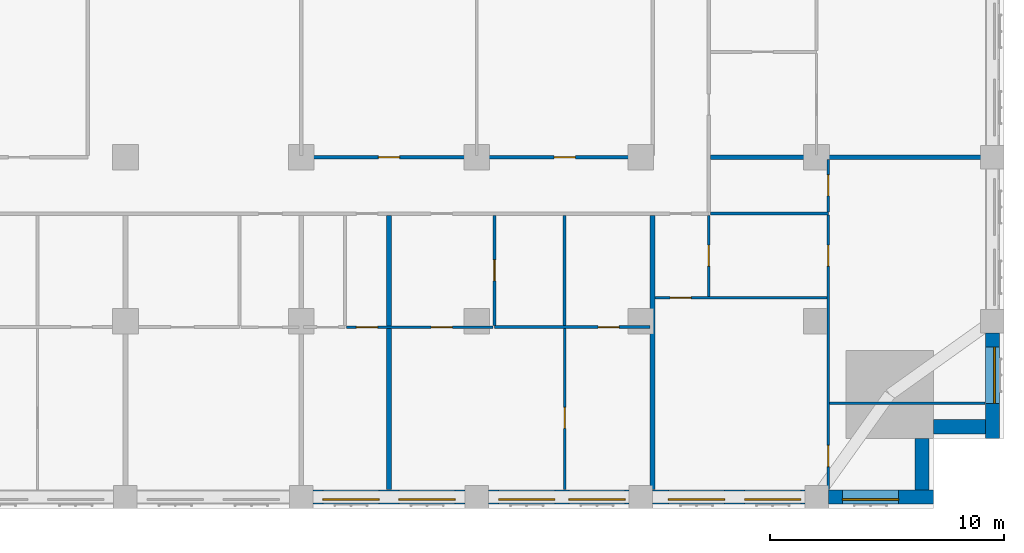
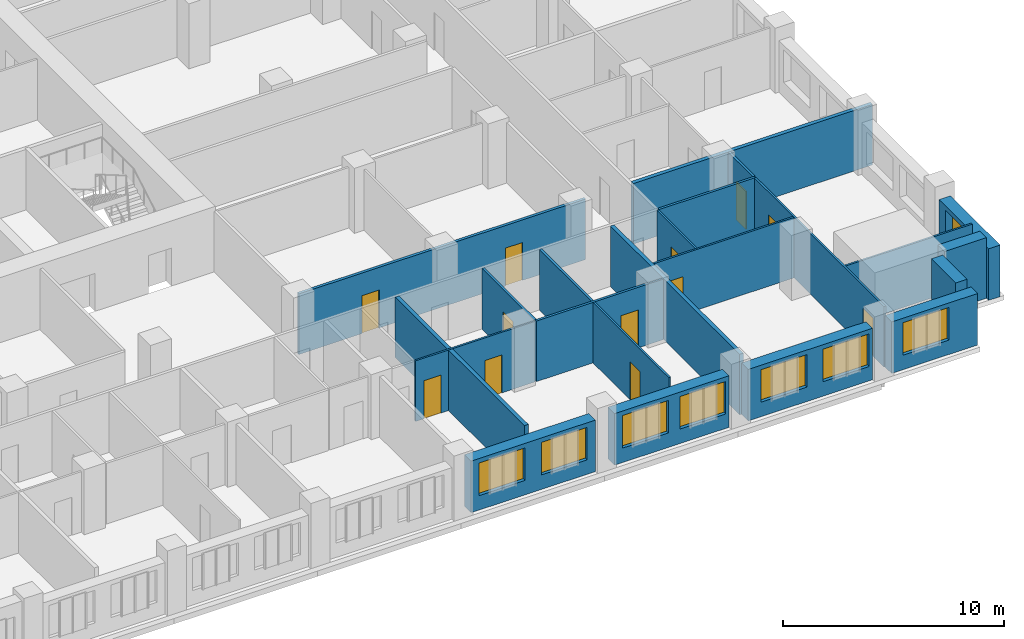
# One storey, part 6 of 14: 22 walls, 12 doors, 8 windows, 20 openings.
"""IFC4 building model written with IfcOpenShell, lengths in metres."""

from ifc_helpers import new_model, si_unit, direction, frame, frame_2d, origin, place, context, subcontext, project, spatial, rectangle, extrude, material, layer, layer_set, type_object, element, fill, save


model = new_model("IFC4")

# Units and contexts
model_context = context("Model", 3, precision=1e-05, world=origin(), true_north=direction((0.0, 1.0)))
body_context = subcontext(model_context, "Body", "Model", "MODEL_VIEW")
ifc_project = project(units=[si_unit("LENGTHUNIT", "METRE"), si_unit("AREAUNIT", "SQUARE_METRE"), si_unit("VOLUMEUNIT", "CUBIC_METRE"), si_unit("PLANEANGLEUNIT", "RADIAN"), si_unit("MASSUNIT", "GRAM", prefix="KILO")], contexts=[model_context])

# Site, building, storey
site_placement = place(None, origin())
site = spatial("IfcSite", under=ifc_project, at=site_placement, CompositionType="ELEMENT")
building_placement = place(site_placement, origin())
building = spatial("IfcBuilding", under=site, at=building_placement, Name="Tamorin Gate", CompositionType="ELEMENT")
storey_placement = place(building_placement, frame((0.0, 0.0, 93.5)))
storey = spatial("IfcBuildingStorey", under=building, at=storey_placement, Name="L22", CompositionType="ELEMENT", Elevation=93.5)

# Wall, openings, windows
ifc_material_1 = material(Name="Precast concrete C40/50", Category="concrete")
ifc_layer_1 = layer(ifc_material_1, 0.60009765625)
ifc_layer_set_1 = layer_set([ifc_layer_1], Name="Precast concrete C40/50")
wall_type_1 = type_object("IfcWallType", Name="Board-marked concrete facade panel 600", PredefinedType="SOLIDWALL", material=ifc_layer_set_1)
wall_1_placement = place(storey_placement, frame((60.5, 38.0, 0.0), z_axis=(0.0, 0.0, 1.0), x_axis=(1.0, 0.0, 0.0)))
wall_1 = element("IfcWall", 1, at=wall_1_placement, inside=storey, type_object=wall_type_1, Name="Facade panel", PredefinedType="SOLIDWALL", context=body_context, shape_type="SweptSolid", body=[
    extrude(rectangle(XDim=6.5, YDim=0.60009765625, at=frame_2d((3.25, 0.0))), origin(), (0.0, 0.0, 1.0), 2.85009765625),
])
opening_1_placement = place(wall_1_placement, frame((0.425048828125, 0.0, 0.800048828125)))
opening_1 = element("IfcOpeningElement", 2, at=opening_1_placement, cuts=wall_1, Name="Opening WN1", PredefinedType="OPENING", context=body_context, shape_type="SweptSolid", body=[
    extrude(rectangle(XDim=2.39990234375, YDim=1.800048828125, at=frame_2d((1.199951171875, 0.89990234375))), frame((0.0, 0.31005859375, 0.0), z_axis=(0.0, -1.0, 0.0), x_axis=(1.0, 0.0, 0.0)), (0.0, 0.0, 1.0), 0.6201171875),
])
opening_2_placement = place(wall_1_placement, frame((3.675048828125, 0.0, 0.800048828125)))
opening_2 = element("IfcOpeningElement", 3, at=opening_2_placement, cuts=wall_1, Name="Opening WN1", PredefinedType="OPENING", context=body_context, shape_type="SweptSolid", body=[
    extrude(rectangle(XDim=2.39990234375, YDim=1.800048828125, at=frame_2d((1.199951171875, 0.89990234375))), frame((0.0, 0.31005859375, 0.0), z_axis=(0.0, -1.0, 0.0), x_axis=(1.0, 0.0, 0.0)), (0.0, 0.0, 1.0), 0.6201171875),
])
ifc_material_2 = material(Name="Clear glass in aluminium frame", Category="aluminium")
window_type = type_object("IfcWindowType", Name="Deep-set window 2400x1800", PartitioningType="SINGLE_PANEL", PredefinedType="WINDOW", material=ifc_material_2)
window_1_placement = place(opening_1_placement, origin())
window_1 = element("IfcWindow", 4, at=window_1_placement, inside=storey, type_object=window_type, Name="Deep-set window", OverallHeight=1.800048828125, OverallWidth=2.39990234375, PartitioningType="SINGLE_PANEL", PredefinedType="WINDOW", context=body_context, shape_type="SweptSolid", body=[
    extrude(rectangle(XDim=2.39990234375, YDim=1.800048828125, at=frame_2d((1.199951171875, 0.89990234375))), frame((0.0, -0.070068359375, 0.0), z_axis=(0.0, -1.0, 0.0), x_axis=(1.0, 0.0, 0.0)), (0.0, 0.0, 1.0), 0.06005859375),
])
fill(opening_1, window_1)
window_2_placement = place(opening_2_placement, origin())
window_2 = element("IfcWindow", 5, at=window_2_placement, inside=storey, type_object=window_type, Name="Deep-set window", OverallHeight=1.800048828125, OverallWidth=2.39990234375, PartitioningType="SINGLE_PANEL", PredefinedType="WINDOW", context=body_context, shape_type="SweptSolid", body=[
    extrude(rectangle(XDim=2.39990234375, YDim=1.800048828125, at=frame_2d((1.199951171875, 0.89990234375))), frame((0.0, -0.070068359375, 0.0), z_axis=(0.0, -1.0, 0.0), x_axis=(1.0, 0.0, 0.0)), (0.0, 0.0, 1.0), 0.06005859375),
])
fill(opening_2, window_2)

wall_2_placement = place(storey_placement, frame((68.0, 38.0, 0.0), z_axis=(0.0, 0.0, 1.0), x_axis=(1.0, 0.0, 0.0)))
wall_2 = element("IfcWall", 6, at=wall_2_placement, inside=storey, type_object=wall_type_1, Name="Facade panel", PredefinedType="SOLIDWALL", context=body_context, shape_type="SweptSolid", body=[
    extrude(rectangle(XDim=6.0, YDim=0.60009765625, at=frame_2d((3.0, 0.0))), origin(), (0.0, 0.0, 1.0), 2.85009765625),
])
opening_3_placement = place(wall_2_placement, frame((0.425048828125, 0.0, 0.800048828125)))
opening_3 = element("IfcOpeningElement", 7, at=opening_3_placement, cuts=wall_2, Name="Opening WN1", PredefinedType="OPENING", context=body_context, shape_type="SweptSolid", body=[
    extrude(rectangle(XDim=2.39990234375, YDim=1.800048828125, at=frame_2d((1.199951171875, 0.89990234375))), frame((0.0, 0.31005859375, 0.0), z_axis=(0.0, -1.0, 0.0), x_axis=(1.0, 0.0, 0.0)), (0.0, 0.0, 1.0), 0.6201171875),
])
opening_4_placement = place(wall_2_placement, frame((3.425048828125, 0.0, 0.800048828125)))
opening_4 = element("IfcOpeningElement", 8, at=opening_4_placement, cuts=wall_2, Name="Opening WN1", PredefinedType="OPENING", context=body_context, shape_type="SweptSolid", body=[
    extrude(rectangle(XDim=2.39990234375, YDim=1.800048828125, at=frame_2d((1.199951171875, 0.89990234375))), frame((0.0, 0.31005859375, 0.0), z_axis=(0.0, -1.0, 0.0), x_axis=(1.0, 0.0, 0.0)), (0.0, 0.0, 1.0), 0.6201171875),
])
window_3_placement = place(opening_3_placement, origin())
window_3 = element("IfcWindow", 9, at=window_3_placement, inside=storey, type_object=window_type, Name="Deep-set window", OverallHeight=1.800048828125, OverallWidth=2.39990234375, PartitioningType="SINGLE_PANEL", PredefinedType="WINDOW", context=body_context, shape_type="SweptSolid", body=[
    extrude(rectangle(XDim=2.39990234375, YDim=1.800048828125, at=frame_2d((1.199951171875, 0.89990234375))), frame((0.0, -0.070068359375, 0.0), z_axis=(0.0, -1.0, 0.0), x_axis=(1.0, 0.0, 0.0)), (0.0, 0.0, 1.0), 0.06005859375),
])
fill(opening_3, window_3)
window_4_placement = place(opening_4_placement, origin())
window_4 = element("IfcWindow", 10, at=window_4_placement, inside=storey, type_object=window_type, Name="Deep-set window", OverallHeight=1.800048828125, OverallWidth=2.39990234375, PartitioningType="SINGLE_PANEL", PredefinedType="WINDOW", context=body_context, shape_type="SweptSolid", body=[
    extrude(rectangle(XDim=2.39990234375, YDim=1.800048828125, at=frame_2d((1.199951171875, 0.89990234375))), frame((0.0, -0.070068359375, 0.0), z_axis=(0.0, -1.0, 0.0), x_axis=(1.0, 0.0, 0.0)), (0.0, 0.0, 1.0), 0.06005859375),
])
fill(opening_4, window_4)

wall_3_placement = place(storey_placement, frame((75.0, 38.0, 0.0), z_axis=(0.0, 0.0, 1.0), x_axis=(1.0, 0.0, 0.0)))
wall_3 = element("IfcWall", 11, at=wall_3_placement, inside=storey, type_object=wall_type_1, Name="Facade panel", PredefinedType="SOLIDWALL", context=body_context, shape_type="SweptSolid", body=[
    extrude(rectangle(XDim=6.5, YDim=0.60009765625, at=frame_2d((3.25, 0.0))), origin(), (0.0, 0.0, 1.0), 2.85009765625),
])
opening_5_placement = place(wall_3_placement, frame((0.675048828125, 0.0, 0.800048828125)))
opening_5 = element("IfcOpeningElement", 12, at=opening_5_placement, cuts=wall_3, Name="Opening WN1", PredefinedType="OPENING", context=body_context, shape_type="SweptSolid", body=[
    extrude(rectangle(XDim=2.39990234375, YDim=1.800048828125, at=frame_2d((1.199951171875, 0.89990234375))), frame((0.0, 0.31005859375, 0.0), z_axis=(0.0, -1.0, 0.0), x_axis=(1.0, 0.0, 0.0)), (0.0, 0.0, 1.0), 0.6201171875),
])
opening_6_placement = place(wall_3_placement, frame((3.925048828125, 0.0, 0.800048828125)))
opening_6 = element("IfcOpeningElement", 13, at=opening_6_placement, cuts=wall_3, Name="Opening WN1", PredefinedType="OPENING", context=body_context, shape_type="SweptSolid", body=[
    extrude(rectangle(XDim=2.39990234375, YDim=1.800048828125, at=frame_2d((1.199951171875, 0.89990234375))), frame((0.0, 0.31005859375, 0.0), z_axis=(0.0, -1.0, 0.0), x_axis=(1.0, 0.0, 0.0)), (0.0, 0.0, 1.0), 0.6201171875),
])
window_5_placement = place(opening_5_placement, origin())
window_5 = element("IfcWindow", 14, at=window_5_placement, inside=storey, type_object=window_type, Name="Deep-set window", OverallHeight=1.800048828125, OverallWidth=2.39990234375, PartitioningType="SINGLE_PANEL", PredefinedType="WINDOW", context=body_context, shape_type="SweptSolid", body=[
    extrude(rectangle(XDim=2.39990234375, YDim=1.800048828125, at=frame_2d((1.199951171875, 0.89990234375))), frame((0.0, -0.070068359375, 0.0), z_axis=(0.0, -1.0, 0.0), x_axis=(1.0, 0.0, 0.0)), (0.0, 0.0, 1.0), 0.06005859375),
])
fill(opening_5, window_5)
window_6_placement = place(opening_6_placement, origin())
window_6 = element("IfcWindow", 15, at=window_6_placement, inside=storey, type_object=window_type, Name="Deep-set window", OverallHeight=1.800048828125, OverallWidth=2.39990234375, PartitioningType="SINGLE_PANEL", PredefinedType="WINDOW", context=body_context, shape_type="SweptSolid", body=[
    extrude(rectangle(XDim=2.39990234375, YDim=1.800048828125, at=frame_2d((1.199951171875, 0.89990234375))), frame((0.0, -0.070068359375, 0.0), z_axis=(0.0, -1.0, 0.0), x_axis=(1.0, 0.0, 0.0)), (0.0, 0.0, 1.0), 0.06005859375),
])
fill(opening_6, window_6)

# Wall, opening, window
wall_4_placement = place(storey_placement, frame((82.5, 38.0, 0.0), z_axis=(0.0, 0.0, 1.0), x_axis=(1.0, 0.0, 0.0)))
wall_4 = element("IfcWall", 16, at=wall_4_placement, inside=storey, type_object=wall_type_1, Name="Facade panel", PredefinedType="SOLIDWALL", context=body_context, shape_type="SweptSolid", body=[
    extrude(rectangle(XDim=4.5, YDim=0.60009765625, at=frame_2d((2.25, 0.0))), origin(), (0.0, 0.0, 1.0), 2.85009765625),
])
opening_7_placement = place(wall_4_placement, frame((0.60009765625, 0.0, 0.800048828125)))
opening_7 = element("IfcOpeningElement", 17, at=opening_7_placement, cuts=wall_4, Name="Opening WN1", PredefinedType="OPENING", context=body_context, shape_type="SweptSolid", body=[
    extrude(rectangle(XDim=2.39990234375, YDim=1.800048828125, at=frame_2d((1.199951171875, 0.89990234375))), frame((0.0, 0.31005859375, 0.0), z_axis=(0.0, -1.0, 0.0), x_axis=(1.0, 0.0, 0.0)), (0.0, 0.0, 1.0), 0.6201171875),
])
window_7_placement = place(opening_7_placement, origin())
window_7 = element("IfcWindow", 18, at=window_7_placement, inside=storey, type_object=window_type, Name="Deep-set window", OverallHeight=1.800048828125, OverallWidth=2.39990234375, PartitioningType="SINGLE_PANEL", PredefinedType="WINDOW", context=body_context, shape_type="SweptSolid", body=[
    extrude(rectangle(XDim=2.39990234375, YDim=1.800048828125, at=frame_2d((1.199951171875, 0.89990234375))), frame((0.0, -0.070068359375, 0.0), z_axis=(0.0, -1.0, 0.0), x_axis=(1.0, 0.0, 0.0)), (0.0, 0.0, 1.0), 0.06005859375),
])
fill(opening_7, window_7)

# Walls
for number, where, z_axis, x_axis, name in (
    (19, (86.5, 38.300048828125, 0.0), (0.0, 0.0, 1.0), (0.0, 1.0, 0.0), "Facade panel"),
    (20, (87.0, 41.0, 0.0), (0.0, 0.0, 1.0), (1.0, 0.0, 0.0), "Facade panel"),
):
    element("IfcWall", number, at=place(storey_placement, frame(where, z_axis=z_axis, x_axis=x_axis)), inside=storey, type_object=wall_type_1, Name=name, PredefinedType="SOLIDWALL", context=body_context, shape_type="SweptSolid", body=[
        extrude(rectangle(XDim=2.199951171875, YDim=0.60009765625, at=frame_2d((1.10009765625, 0.0))), origin(), (0.0, 0.0, 1.0), 3.35009765625),
    ])

# Wall, opening, window
wall_5_placement = place(storey_placement, frame((89.5, 40.5, 0.0), z_axis=(0.0, 0.0, 1.0), x_axis=(0.0, 1.0, 0.0)))
wall_5 = element("IfcWall", 21, at=wall_5_placement, inside=storey, type_object=wall_type_1, Name="Facade panel", PredefinedType="SOLIDWALL", context=body_context, shape_type="SweptSolid", body=[
    extrude(rectangle(XDim=4.5, YDim=0.60009765625, at=frame_2d((2.25, 0.0))), origin(), (0.0, 0.0, 1.0), 2.85009765625),
])
opening_8_placement = place(wall_5_placement, frame((1.5, 0.0, 0.800048828125)))
opening_8 = element("IfcOpeningElement", 22, at=opening_8_placement, cuts=wall_5, Name="Opening WN1", PredefinedType="OPENING", context=body_context, shape_type="SweptSolid", body=[
    extrude(rectangle(XDim=2.39990234375, YDim=1.800048828125, at=frame_2d((1.199951171875, 0.89990234375))), frame((0.0, 0.31005859375, 0.0), z_axis=(0.0, -1.0, 0.0), x_axis=(1.0, 0.0, 0.0)), (0.0, 0.0, 1.0), 0.6201171875),
])
window_8_placement = place(opening_8_placement, origin())
window_8 = element("IfcWindow", 23, at=window_8_placement, inside=storey, type_object=window_type, Name="Deep-set window", OverallHeight=1.800048828125, OverallWidth=2.39990234375, PartitioningType="SINGLE_PANEL", PredefinedType="WINDOW", context=body_context, shape_type="SweptSolid", body=[
    extrude(rectangle(XDim=2.39990234375, YDim=1.800048828125, at=frame_2d((1.199951171875, 0.89990234375))), frame((0.0, -0.070068359375, 0.0), z_axis=(0.0, -1.0, 0.0), x_axis=(1.0, 0.0, 0.0)), (0.0, 0.0, 1.0), 0.06005859375),
])
fill(opening_8, window_8)

# Wall, openings, doors
ifc_material_3 = material(Name="Gypsum board partition")
ifc_layer_2 = layer(ifc_material_3, 0.14990234375)
ifc_layer_set_2 = layer_set([ifc_layer_2], Name="Corridor wall 150")
wall_type_2 = type_object("IfcWallType", Name="Corridor wall 150", PredefinedType="PARTITIONING", material=ifc_layer_set_2)
wall_6_placement = place(storey_placement, frame((60.0, 52.5, 0.0), z_axis=(0.0, 0.0, 1.0), x_axis=(1.0, 0.0, 0.0)))
wall_6 = element("IfcWall", 24, at=wall_6_placement, inside=storey, type_object=wall_type_2, Name="Corridor wall 150", PredefinedType="PARTITIONING", context=body_context, shape_type="SweptSolid", body=[
    extrude(rectangle(XDim=15.0, YDim=0.14990234375, at=frame_2d((7.5, 0.0))), origin(), (0.0, 0.0, 1.0), 3.35009765625),
])
opening_9_placement = place(wall_6_placement, frame((3.300048828125, 0.0, 0.0)))
opening_9 = element("IfcOpeningElement", 25, at=opening_9_placement, cuts=wall_6, Name="Opening DH5074", PredefinedType="OPENING", context=body_context, shape_type="SweptSolid", body=[
    extrude(rectangle(XDim=0.89990234375, YDim=2.10009765625, at=frame_2d((0.449951171875, 1.050048828125))), frame((0.0, 0.0849609375, 0.0), z_axis=(0.0, -1.0, 0.0), x_axis=(1.0, 0.0, 0.0)), (0.0, 0.0, 1.0), 0.169921875),
])
opening_10_placement = place(wall_6_placement, frame((10.800048828125, 0.0, 0.0)))
opening_10 = element("IfcOpeningElement", 26, at=opening_10_placement, cuts=wall_6, Name="Opening DH5075", PredefinedType="OPENING", context=body_context, shape_type="SweptSolid", body=[
    extrude(rectangle(XDim=0.89990234375, YDim=2.10009765625, at=frame_2d((0.449951171875, 1.050048828125))), frame((0.0, 0.0849609375, 0.0), z_axis=(0.0, -1.0, 0.0), x_axis=(1.0, 0.0, 0.0)), (0.0, 0.0, 1.0), 0.169921875),
])
ifc_material_4 = material(Name="Timber door leaf", Category="wood")
door_type_1 = type_object("IfcDoorType", Name="Door 900 x 2100 FD30S", OperationType="NOTDEFINED", PredefinedType="DOOR", material=ifc_material_4)
door_1_placement = place(opening_9_placement, origin())
door_1 = element("IfcDoor", 27, at=door_1_placement, inside=storey, type_object=door_type_1, Name="Door DH5074", OperationType="SINGLE_SWING_LEFT", OverallHeight=2.10009765625, OverallWidth=0.89990234375, PredefinedType="DOOR", context=body_context, shape_type="SweptSolid", body=[
    extrude(rectangle(XDim=0.89990234375, YDim=2.10009765625, at=frame_2d((0.449951171875, 1.050048828125))), frame((0.0, 0.02490234375, 0.0), z_axis=(0.0, -1.0, 0.0), x_axis=(1.0, 0.0, 0.0)), (0.0, 0.0, 1.0), 0.050048828125),
])
fill(opening_9, door_1)
door_2_placement = place(opening_10_placement, origin())
door_2 = element("IfcDoor", 28, at=door_2_placement, inside=storey, type_object=door_type_1, Name="Door DH5075", OperationType="SINGLE_SWING_LEFT", OverallHeight=2.10009765625, OverallWidth=0.89990234375, PredefinedType="DOOR", context=body_context, shape_type="SweptSolid", body=[
    extrude(rectangle(XDim=0.89990234375, YDim=2.10009765625, at=frame_2d((0.449951171875, 1.050048828125))), frame((0.0, 0.02490234375, 0.0), z_axis=(0.0, -1.0, 0.0), x_axis=(1.0, 0.0, 0.0)), (0.0, 0.0, 1.0), 0.050048828125),
])
fill(opening_10, door_2)

# Walls
ifc_layer_3 = layer(ifc_material_3, 0.199951171875)
ifc_layer_set_3 = layer_set([ifc_layer_3], Name="Demising wall 200")
wall_type_3 = type_object("IfcWallType", Name="Demising wall 200", PredefinedType="PARTITIONING", material=ifc_layer_set_3)
wall_7_placement = place(storey_placement, frame((77.47509765625, 52.5, 0.0), z_axis=(0.0, 0.0, 1.0), x_axis=(1.0, 0.0, 0.0)))
element("IfcWall", 29, at=wall_7_placement, inside=storey, type_object=wall_type_3, Name="Demising wall 200", PredefinedType="PARTITIONING", context=body_context, shape_type="SweptSolid", body=[
    extrude(rectangle(XDim=12.52490234375, YDim=0.199951171875, at=frame_2d((6.262451171875, 0.0))), origin(), (0.0, 0.0, 1.0), 3.35009765625),
])
for number, where, z_axis, x_axis, name in (
    (30, (63.75, 38.31005859375, 0.0), (0.0, 0.0, 1.0), (0.0, 1.0, 0.0), "Demising wall 200"),
    (31, (75.0, 38.31005859375, 0.0), (0.0, 0.0, 1.0), (0.0, 1.0, 0.0), "Demising wall 200"),
):
    element("IfcWall", number, at=place(storey_placement, frame(where, z_axis=z_axis, x_axis=x_axis)), inside=storey, type_object=wall_type_3, Name=name, PredefinedType="PARTITIONING", context=body_context, shape_type="SweptSolid", body=[
        extrude(rectangle(XDim=11.71484375, YDim=0.199951171875, at=frame_2d((5.857421875, 0.0))), origin(), (0.0, 0.0, 1.0), 3.35009765625),
    ])
ifc_layer_4 = layer(ifc_material_3, 0.10009765625)
ifc_layer_set_4 = layer_set([ifc_layer_4], Name="Room partition 100")
wall_type_4 = type_object("IfcWallType", Name="Room partition 100", PredefinedType="PARTITIONING", material=ifc_layer_set_4)
wall_8_placement = place(storey_placement, frame((82.550048828125, 42.0, 0.0), z_axis=(0.0, 0.0, 1.0), x_axis=(1.0, 0.0, 0.0)))
element("IfcWall", 32, at=wall_8_placement, inside=storey, type_object=wall_type_4, Name="Room partition 100", PredefinedType="PARTITIONING", context=body_context, shape_type="SweptSolid", body=[
    extrude(rectangle(XDim=6.639892578125, YDim=0.10009765625, at=frame_2d((3.31982421875, 0.0))), origin(), (0.0, 0.0, 1.0), 3.35009765625),
])

# Wall, openings, doors
wall_9_placement = place(storey_placement, frame((61.9375, 45.25, 0.0), z_axis=(0.0, 0.0, 1.0), x_axis=(1.0, 0.0, 0.0)))
wall_9 = element("IfcWall", 33, at=wall_9_placement, inside=storey, type_object=wall_type_4, Name="Room partition 100", PredefinedType="PARTITIONING", context=body_context, shape_type="SweptSolid", body=[
    extrude(rectangle(XDim=6.25, YDim=0.10009765625, at=frame_2d((3.125, 0.0))), origin(), (0.0, 0.0, 1.0), 3.35009765625),
])
opening_11_placement = place(wall_9_placement, frame((0.425048828125, 0.0, 0.0)))
opening_11 = element("IfcOpeningElement", 34, at=opening_11_placement, cuts=wall_9, Name="Opening DH5015", PredefinedType="OPENING", context=body_context, shape_type="SweptSolid", body=[
    extrude(rectangle(XDim=0.89990234375, YDim=2.10009765625, at=frame_2d((0.449951171875, 1.050048828125))), frame((0.0, 0.06005859375, 0.0), z_axis=(0.0, -1.0, 0.0), x_axis=(1.0, 0.0, 0.0)), (0.0, 0.0, 1.0), 0.1201171875),
])
opening_12_placement = place(wall_9_placement, frame((3.612548828125, 0.0, 0.0)))
opening_12 = element("IfcOpeningElement", 35, at=opening_12_placement, cuts=wall_9, Name="Opening DH5017", PredefinedType="OPENING", context=body_context, shape_type="SweptSolid", body=[
    extrude(rectangle(XDim=0.89990234375, YDim=2.10009765625, at=frame_2d((0.449951171875, 1.050048828125))), frame((0.0, 0.06005859375, 0.0), z_axis=(0.0, -1.0, 0.0), x_axis=(1.0, 0.0, 0.0)), (0.0, 0.0, 1.0), 0.1201171875),
])
door_type_2 = type_object("IfcDoorType", Name="Door 900 x 2100", OperationType="NOTDEFINED", PredefinedType="DOOR", material=ifc_material_4)
door_3_placement = place(opening_11_placement, origin())
door_3 = element("IfcDoor", 36, at=door_3_placement, inside=storey, type_object=door_type_2, Name="Door DH5015", OperationType="SINGLE_SWING_LEFT", OverallHeight=2.10009765625, OverallWidth=0.89990234375, PredefinedType="DOOR", context=body_context, shape_type="SweptSolid", body=[
    extrude(rectangle(XDim=0.89990234375, YDim=2.10009765625, at=frame_2d((0.449951171875, 1.050048828125))), frame((0.0, 0.02490234375, 0.0), z_axis=(0.0, -1.0, 0.0), x_axis=(1.0, 0.0, 0.0)), (0.0, 0.0, 1.0), 0.050048828125),
])
fill(opening_11, door_3)
door_4_placement = place(opening_12_placement, origin())
door_4 = element("IfcDoor", 37, at=door_4_placement, inside=storey, type_object=door_type_2, Name="Door DH5017", OperationType="SINGLE_SWING_LEFT", OverallHeight=2.10009765625, OverallWidth=0.89990234375, PredefinedType="DOOR", context=body_context, shape_type="SweptSolid", body=[
    extrude(rectangle(XDim=0.89990234375, YDim=2.10009765625, at=frame_2d((0.449951171875, 1.050048828125))), frame((0.0, 0.02490234375, 0.0), z_axis=(0.0, -1.0, 0.0), x_axis=(1.0, 0.0, 0.0)), (0.0, 0.0, 1.0), 0.050048828125),
])
fill(opening_12, door_4)

# Wall, opening, door
wall_10_placement = place(storey_placement, frame((75.10009765625, 46.5, 0.0), z_axis=(0.0, 0.0, 1.0), x_axis=(1.0, 0.0, 0.0)))
wall_10 = element("IfcWall", 38, at=wall_10_placement, inside=storey, type_object=wall_type_4, Name="Room partition 100", PredefinedType="PARTITIONING", context=body_context, shape_type="SweptSolid", body=[
    extrude(rectangle(XDim=7.349853515625, YDim=0.10009765625, at=frame_2d((3.6748046875, 0.0))), origin(), (0.0, 0.0, 1.0), 3.35009765625),
])
opening_13_placement = place(wall_10_placement, frame((0.64990234375, 0.0, 0.0)))
opening_13 = element("IfcOpeningElement", 39, at=opening_13_placement, cuts=wall_10, Name="Opening DH5061", PredefinedType="OPENING", context=body_context, shape_type="SweptSolid", body=[
    extrude(rectangle(XDim=0.89990234375, YDim=2.10009765625, at=frame_2d((0.449951171875, 1.050048828125))), frame((0.0, 0.06005859375, 0.0), z_axis=(0.0, -1.0, 0.0), x_axis=(1.0, 0.0, 0.0)), (0.0, 0.0, 1.0), 0.1201171875),
])
door_5_placement = place(opening_13_placement, origin())
door_5 = element("IfcDoor", 40, at=door_5_placement, inside=storey, type_object=door_type_2, Name="Door DH5061", OperationType="SINGLE_SWING_RIGHT", OverallHeight=2.10009765625, OverallWidth=0.89990234375, PredefinedType="DOOR", context=body_context, shape_type="SweptSolid", body=[
    extrude(rectangle(XDim=0.89990234375, YDim=2.10009765625, at=frame_2d((0.449951171875, 1.050048828125))), frame((0.0, 0.02490234375, 0.0), z_axis=(0.0, -1.0, 0.0), x_axis=(1.0, 0.0, 0.0)), (0.0, 0.0, 1.0), 0.050048828125),
])
fill(opening_13, door_5)

wall_11_placement = place(storey_placement, frame((71.25, 38.31005859375, 0.0), z_axis=(0.0, 0.0, 1.0), x_axis=(0.0, 1.0, 0.0)))
wall_11 = element("IfcWall", 41, at=wall_11_placement, inside=storey, type_object=wall_type_4, Name="Room partition 100", PredefinedType="PARTITIONING", context=body_context, shape_type="SweptSolid", body=[
    extrude(rectangle(XDim=6.87744140625, YDim=0.10009765625, at=frame_2d((3.438720703125, 0.0))), origin(), (0.0, 0.0, 1.0), 3.35009765625),
])
opening_14_placement = place(wall_11_placement, frame((2.614990234375, 0.0, 0.0)))
opening_14 = element("IfcOpeningElement", 42, at=opening_14_placement, cuts=wall_11, Name="Opening DH5020", PredefinedType="OPENING", context=body_context, shape_type="SweptSolid", body=[
    extrude(rectangle(XDim=0.89990234375, YDim=2.10009765625, at=frame_2d((0.449951171875, 1.050048828125))), frame((0.0, 0.06005859375, 0.0), z_axis=(0.0, -1.0, 0.0), x_axis=(1.0, 0.0, 0.0)), (0.0, 0.0, 1.0), 0.1201171875),
])
door_6_placement = place(opening_14_placement, origin())
door_6 = element("IfcDoor", 43, at=door_6_placement, inside=storey, type_object=door_type_2, Name="Door DH5020", OperationType="SINGLE_SWING_LEFT", OverallHeight=2.10009765625, OverallWidth=0.89990234375, PredefinedType="DOOR", context=body_context, shape_type="SweptSolid", body=[
    extrude(rectangle(XDim=0.89990234375, YDim=2.10009765625, at=frame_2d((0.449951171875, 1.050048828125))), frame((0.0, 0.02490234375, 0.0), z_axis=(0.0, -1.0, 0.0), x_axis=(1.0, 0.0, 0.0)), (0.0, 0.0, 1.0), 0.050048828125),
])
fill(opening_14, door_6)

wall_12_placement = place(storey_placement, frame((77.39990234375, 46.550048828125, 0.0), z_axis=(0.0, 0.0, 1.0), x_axis=(0.0, 1.0, 0.0)))
wall_12 = element("IfcWall", 44, at=wall_12_placement, inside=storey, type_object=wall_type_4, Name="Room partition 100", PredefinedType="PARTITIONING", context=body_context, shape_type="SweptSolid", body=[
    extrude(rectangle(XDim=3.474853515625, YDim=0.10009765625, at=frame_2d((1.7373046875, 0.0))), origin(), (0.0, 0.0, 1.0), 3.35009765625),
])
opening_15_placement = place(wall_12_placement, frame((1.300048828125, 0.0, 0.0)))
opening_15 = element("IfcOpeningElement", 45, at=opening_15_placement, cuts=wall_12, Name="Opening DH5062", PredefinedType="OPENING", context=body_context, shape_type="SweptSolid", body=[
    extrude(rectangle(XDim=0.89990234375, YDim=2.10009765625, at=frame_2d((0.449951171875, 1.050048828125))), frame((0.0, 0.06005859375, 0.0), z_axis=(0.0, -1.0, 0.0), x_axis=(1.0, 0.0, 0.0)), (0.0, 0.0, 1.0), 0.1201171875),
])
door_7_placement = place(opening_15_placement, origin())
door_7 = element("IfcDoor", 46, at=door_7_placement, inside=storey, type_object=door_type_2, Name="Door DH5062", OperationType="SINGLE_SWING_RIGHT", OverallHeight=2.10009765625, OverallWidth=0.89990234375, PredefinedType="DOOR", context=body_context, shape_type="SweptSolid", body=[
    extrude(rectangle(XDim=0.89990234375, YDim=2.10009765625, at=frame_2d((0.449951171875, 1.050048828125))), frame((0.0, 0.02490234375, 0.0), z_axis=(0.0, -1.0, 0.0), x_axis=(1.0, 0.0, 0.0)), (0.0, 0.0, 1.0), 0.050048828125),
])
fill(opening_15, door_7)

# Wall, openings, doors
wall_13_placement = place(storey_placement, frame((82.5, 38.31005859375, 0.0), z_axis=(0.0, 0.0, 1.0), x_axis=(0.0, 1.0, 0.0)))
wall_13 = element("IfcWall", 47, at=wall_13_placement, inside=storey, type_object=wall_type_4, Name="Room partition 100", PredefinedType="PARTITIONING", context=body_context, shape_type="SweptSolid", body=[
    extrude(rectangle(XDim=11.7275390625, YDim=0.10009765625, at=frame_2d((5.86376953125, 0.0))), origin(), (0.0, 0.0, 1.0), 3.35009765625),
])
opening_16_placement = place(wall_13_placement, frame((0.989990234375, 0.0, 0.0)))
opening_16 = element("IfcOpeningElement", 48, at=opening_16_placement, cuts=wall_13, Name="Opening DH5063", PredefinedType="OPENING", context=body_context, shape_type="SweptSolid", body=[
    extrude(rectangle(XDim=0.89990234375, YDim=2.10009765625, at=frame_2d((0.449951171875, 1.050048828125))), frame((0.0, 0.06005859375, 0.0), z_axis=(0.0, -1.0, 0.0), x_axis=(1.0, 0.0, 0.0)), (0.0, 0.0, 1.0), 0.1201171875),
])
opening_17_placement = place(wall_13_placement, frame((9.5400390625, 0.0, 0.0)))
opening_17 = element("IfcOpeningElement", 49, at=opening_17_placement, cuts=wall_13, Name="Opening DH5064", PredefinedType="OPENING", context=body_context, shape_type="SweptSolid", body=[
    extrude(rectangle(XDim=0.89990234375, YDim=2.10009765625, at=frame_2d((0.449951171875, 1.050048828125))), frame((0.0, 0.06005859375, 0.0), z_axis=(0.0, -1.0, 0.0), x_axis=(1.0, 0.0, 0.0)), (0.0, 0.0, 1.0), 0.1201171875),
])
door_8_placement = place(opening_16_placement, origin())
door_8 = element("IfcDoor", 50, at=door_8_placement, inside=storey, type_object=door_type_2, Name="Door DH5063", OperationType="SINGLE_SWING_LEFT", OverallHeight=2.10009765625, OverallWidth=0.89990234375, PredefinedType="DOOR", context=body_context, shape_type="SweptSolid", body=[
    extrude(rectangle(XDim=0.89990234375, YDim=2.10009765625, at=frame_2d((0.449951171875, 1.050048828125))), frame((0.0, 0.02490234375, 0.0), z_axis=(0.0, -1.0, 0.0), x_axis=(1.0, 0.0, 0.0)), (0.0, 0.0, 1.0), 0.050048828125),
])
fill(opening_16, door_8)
door_9_placement = place(opening_17_placement, origin())
door_9 = element("IfcDoor", 51, at=door_9_placement, inside=storey, type_object=door_type_2, Name="Door DH5064", OperationType="SINGLE_SWING_RIGHT", OverallHeight=2.10009765625, OverallWidth=0.89990234375, PredefinedType="DOOR", context=body_context, shape_type="SweptSolid", body=[
    extrude(rectangle(XDim=0.89990234375, YDim=2.10009765625, at=frame_2d((0.449951171875, 1.050048828125))), frame((0.0, 0.02490234375, 0.0), z_axis=(0.0, -1.0, 0.0), x_axis=(1.0, 0.0, 0.0)), (0.0, 0.0, 1.0), 0.050048828125),
])
fill(opening_17, door_9)

# Wall, opening, door
ifc_layer_5 = layer(ifc_material_3, 0.125)
ifc_layer_set_5 = layer_set([ifc_layer_5], Name="Wet wall 125")
wall_type_5 = type_object("IfcWallType", Name="Wet wall 125", PredefinedType="PARTITIONING", material=ifc_layer_set_5)
wall_14_placement = place(storey_placement, frame((68.25, 45.25, 0.0), z_axis=(0.0, 0.0, 1.0), x_axis=(1.0, 0.0, 0.0)))
wall_14 = element("IfcWall", 52, at=wall_14_placement, inside=storey, type_object=wall_type_5, Name="Wet wall 125", PredefinedType="PARTITIONING", context=body_context, shape_type="SweptSolid", body=[
    extrude(rectangle(XDim=6.64990234375, YDim=0.125, at=frame_2d((3.324951171875, 0.0))), origin(), (0.0, 0.0, 1.0), 3.35009765625),
])
opening_18_placement = place(wall_14_placement, frame((4.425048828125, 0.0, 0.0)))
opening_18 = element("IfcOpeningElement", 53, at=opening_18_placement, cuts=wall_14, Name="Opening DH5019", PredefinedType="OPENING", context=body_context, shape_type="SweptSolid", body=[
    extrude(rectangle(XDim=0.89990234375, YDim=2.10009765625, at=frame_2d((0.449951171875, 1.050048828125))), frame((0.0, 0.072509765625, 0.0), z_axis=(0.0, -1.0, 0.0), x_axis=(1.0, 0.0, 0.0)), (0.0, 0.0, 1.0), 0.14501953125),
])
door_10_placement = place(opening_18_placement, origin())
door_10 = element("IfcDoor", 54, at=door_10_placement, inside=storey, type_object=door_type_2, Name="Door DH5019", OperationType="SINGLE_SWING_LEFT", OverallHeight=2.10009765625, OverallWidth=0.89990234375, PredefinedType="DOOR", context=body_context, shape_type="SweptSolid", body=[
    extrude(rectangle(XDim=0.89990234375, YDim=2.10009765625, at=frame_2d((0.449951171875, 1.050048828125))), frame((0.0, 0.02490234375, 0.0), z_axis=(0.0, -1.0, 0.0), x_axis=(1.0, 0.0, 0.0)), (0.0, 0.0, 1.0), 0.050048828125),
])
fill(opening_18, door_10)

# Wall
wall_15_placement = place(storey_placement, frame((77.47509765625, 50.10009765625, 0.0), z_axis=(0.0, 0.0, 1.0), x_axis=(1.0, 0.0, 0.0)))
element("IfcWall", 55, at=wall_15_placement, inside=storey, type_object=wall_type_5, Name="Wet wall 125", PredefinedType="PARTITIONING", context=body_context, shape_type="SweptSolid", body=[
    extrude(rectangle(XDim=5.02490234375, YDim=0.125, at=frame_2d((2.512451171875, 0.0))), origin(), (0.0, 0.0, 1.0), 3.35009765625),
])

# Wall, opening, door
wall_16_placement = place(storey_placement, frame((68.25, 45.3125, 0.0), z_axis=(0.0, 0.0, 1.0), x_axis=(0.0, 1.0, 0.0)))
wall_16 = element("IfcWall", 56, at=wall_16_placement, inside=storey, type_object=wall_type_5, Name="Wet wall 125", PredefinedType="PARTITIONING", context=body_context, shape_type="SweptSolid", body=[
    extrude(rectangle(XDim=4.71240234375, YDim=0.125, at=frame_2d((2.356201171875, 0.0))), origin(), (0.0, 0.0, 1.0), 3.35009765625),
])
opening_19_placement = place(wall_16_placement, frame((1.91259765625, 0.0, 0.0)))
opening_19 = element("IfcOpeningElement", 57, at=opening_19_placement, cuts=wall_16, Name="Opening DH5018", PredefinedType="OPENING", context=body_context, shape_type="SweptSolid", body=[
    extrude(rectangle(XDim=0.89990234375, YDim=2.10009765625, at=frame_2d((0.449951171875, 1.050048828125))), frame((0.0, 0.072509765625, 0.0), z_axis=(0.0, -1.0, 0.0), x_axis=(1.0, 0.0, 0.0)), (0.0, 0.0, 1.0), 0.14501953125),
])
door_11_placement = place(opening_19_placement, origin())
door_11 = element("IfcDoor", 58, at=door_11_placement, inside=storey, type_object=door_type_2, Name="Door DH5018", OperationType="SINGLE_SWING_LEFT", OverallHeight=2.10009765625, OverallWidth=0.89990234375, PredefinedType="DOOR", context=body_context, shape_type="SweptSolid", body=[
    extrude(rectangle(XDim=0.89990234375, YDim=2.10009765625, at=frame_2d((0.449951171875, 1.050048828125))), frame((0.0, 0.02490234375, 0.0), z_axis=(0.0, -1.0, 0.0), x_axis=(1.0, 0.0, 0.0)), (0.0, 0.0, 1.0), 0.050048828125),
])
fill(opening_19, door_11)

# Wall
wall_17_placement = place(storey_placement, frame((71.25, 45.3125, 0.0), z_axis=(0.0, 0.0, 1.0), x_axis=(0.0, 1.0, 0.0)))
element("IfcWall", 59, at=wall_17_placement, inside=storey, type_object=wall_type_5, Name="Wet wall 125", PredefinedType="PARTITIONING", context=body_context, shape_type="SweptSolid", body=[
    extrude(rectangle(XDim=4.71240234375, YDim=0.125, at=frame_2d((2.356201171875, 0.0))), origin(), (0.0, 0.0, 1.0), 3.35009765625),
])

# Wall, opening, door
wall_18_placement = place(storey_placement, frame((82.5, 50.16259765625, 0.0), z_axis=(0.0, 0.0, 1.0), x_axis=(0.0, 1.0, 0.0)))
wall_18 = element("IfcWall", 60, at=wall_18_placement, inside=storey, type_object=wall_type_5, Name="Wet wall 125", PredefinedType="PARTITIONING", context=body_context, shape_type="SweptSolid", body=[
    extrude(rectangle(XDim=2.2373046875, YDim=0.125, at=frame_2d((1.11865234375, 0.0))), origin(), (0.0, 0.0, 1.0), 3.35009765625),
])
opening_20_placement = place(wall_18_placement, frame((0.6875, 0.0, 0.0)))
opening_20 = element("IfcOpeningElement", 61, at=opening_20_placement, cuts=wall_18, Name="Opening DH5065", PredefinedType="OPENING", context=body_context, shape_type="SweptSolid", body=[
    extrude(rectangle(XDim=0.89990234375, YDim=2.10009765625, at=frame_2d((0.449951171875, 1.050048828125))), frame((0.0, 0.072509765625, 0.0), z_axis=(0.0, -1.0, 0.0), x_axis=(1.0, 0.0, 0.0)), (0.0, 0.0, 1.0), 0.14501953125),
])
door_12_placement = place(opening_20_placement, origin())
door_12 = element("IfcDoor", 62, at=door_12_placement, inside=storey, type_object=door_type_2, Name="Door DH5065", OperationType="SINGLE_SWING_LEFT", OverallHeight=2.10009765625, OverallWidth=0.89990234375, PredefinedType="DOOR", context=body_context, shape_type="SweptSolid", body=[
    extrude(rectangle(XDim=0.89990234375, YDim=2.10009765625, at=frame_2d((0.449951171875, 1.050048828125))), frame((0.0, 0.02490234375, 0.0), z_axis=(0.0, -1.0, 0.0), x_axis=(1.0, 0.0, 0.0)), (0.0, 0.0, 1.0), 0.050048828125),
])
fill(opening_20, door_12)

save(model, "model.ifc")
